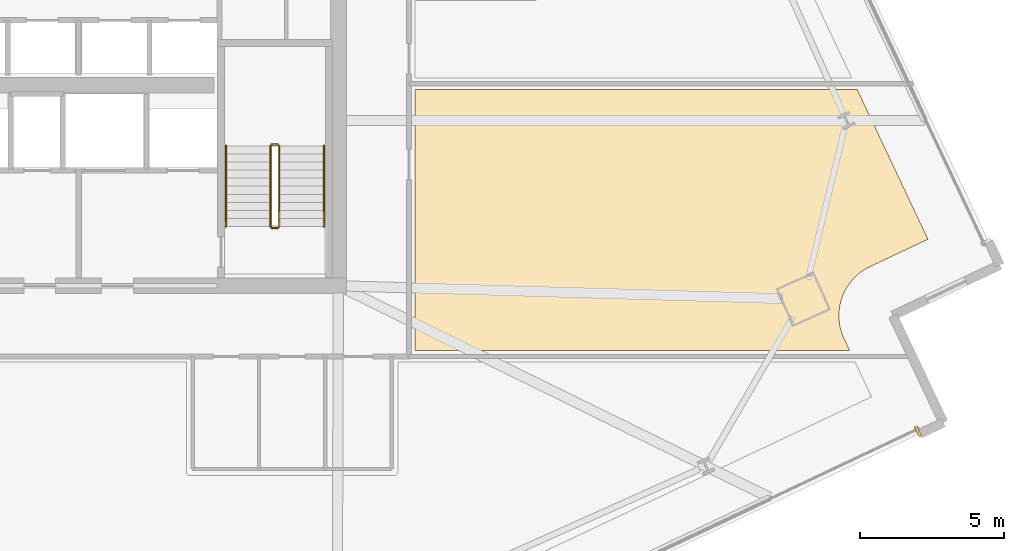
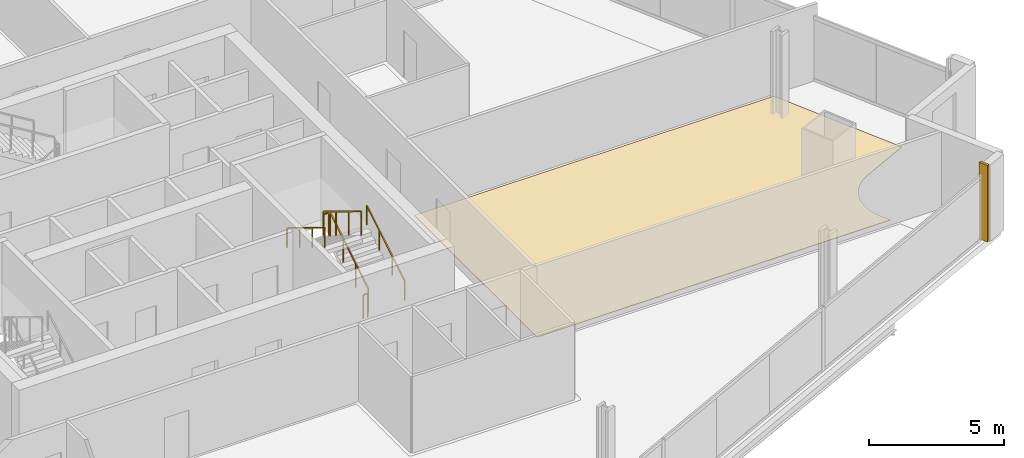
# One storey, part 31 of 34: 6 railings, 2 coverings.
"""IFC4 building model written with IfcOpenShell, lengths in metres."""

from ifc_helpers import new_model, si_unit, direction, frame, origin, origin_2d, place, context, subcontext, project, spatial, polyline, rectangle, outline, extrude, source, transform, mapped, material, layer, layer_set, type_object, element, save


model = new_model("IFC4")

# Units and contexts
model_context = context("Model", 3, precision=1e-05, world=origin(), true_north=direction((0.0, 1.0)))
body_context = subcontext(model_context, "Body", "Model", "MODEL_VIEW")
ifc_project = project(units=[si_unit("LENGTHUNIT", "METRE"), si_unit("AREAUNIT", "SQUARE_METRE"), si_unit("VOLUMEUNIT", "CUBIC_METRE"), si_unit("PLANEANGLEUNIT", "RADIAN"), si_unit("MASSUNIT", "GRAM", prefix="KILO")], contexts=[model_context])

# Site, building, storey
site_placement = place(None, origin())
site = spatial("IfcSite", under=ifc_project, at=site_placement, CompositionType="ELEMENT")
building_placement = place(site_placement, origin())
building = spatial("IfcBuilding", under=site, at=building_placement, Name="Haldenkirk Collegiate Tower", CompositionType="ELEMENT")
storey_placement = place(building_placement, frame((0.0, 0.0, 112.949951171875)))
storey = spatial("IfcBuildingStorey", under=building, at=storey_placement, Name="L27", CompositionType="ELEMENT", Elevation=112.949951171875)

# Covering
ifc_material_1 = material(Name="Polished collegiate terrazzo", Category="concrete")
ifc_layer_1 = layer(ifc_material_1, 0.02490234375)
ifc_layer_set_1 = layer_set([ifc_layer_1], Name="Polished collegiate terrazzo")
covering_type_1 = type_object("IfcCoveringType", Name="COV-FLOOR-TERRAZZO", PredefinedType="FLOORING", material=ifc_layer_set_1)
covering_1_placement = place(storey_placement, origin())
element("IfcCovering", 1, at=covering_1_placement, inside=storey, type_object=covering_type_1, Name="L27 academic room finish 12", PredefinedType="FLOORING", context=body_context, shape_type="SweptSolid", body=[
    extrude(outline(polyline([(63.41748046875, 18.65771484375), (63.412353515625, 18.6552734375), (63.2607421875, 18.57421875), (63.25048828125, 18.568115234375), (63.10791015625, 18.472900390625), (63.098388671875, 18.4658203125), (62.965576171875, 18.35693359375), (62.956787109375, 18.34912109375), (62.83544921875, 18.2275390625), (62.82763671875, 18.218994140625), (62.718505859375, 18.086181640625), (62.71142578125, 18.07666015625), (62.6162109375, 17.933837890625), (62.610107421875, 17.923828125), (62.529052734375, 17.772216796875), (62.524169921875, 17.76171875), (62.458251953125, 17.60302734375), (62.454345703125, 17.592041015625), (62.404296875, 17.427734375), (62.401611328125, 17.416259765625), (62.367919921875, 17.247802734375), (62.3662109375, 17.236083984375), (62.349365234375, 17.065185546875), (62.348876953125, 17.053466796875), (62.348876953125, 16.881591796875), (62.349365234375, 16.8701171875), (62.3662109375, 16.69921875), (62.367919921875, 16.6875), (62.4013671875, 16.518798828125), (62.404296875, 16.507568359375), (62.4541015625, 16.34326171875), (62.4580078125, 16.33203125), (62.523681640625, 16.17333984375), (62.526123046875, 16.16796875), (62.7236328125, 15.75), (47.64990234375, 15.75), (47.64990234375, 24.800048828125), (62.980712890625, 24.800048828125), (65.43359375, 19.61083984375), (63.41748046875, 18.65771484375)])), origin(), (0.0, 0.0, 1.0), 0.025146484375),
])

# Railings
ifc_material_2 = material(Name="Painted architectural tubular steel", Category="steel")
railing_type_1 = type_object("IfcRailingType", Name="RLG-STAIR-GUARD-1100", PredefinedType="BALUSTRADE", material=ifc_material_2)
railing_1_placement = place(storey_placement, frame((42.949951171875, 20.050048828125, 0.17041015625)))
element("IfcRailing", 2, at=railing_1_placement, inside=storey, type_object=railing_type_1, Name="L27 ST-2 stair guard 1", PredefinedType="BALUSTRADE", context=body_context, shape_type="SweptSolid", body=[
    extrude(rectangle(XDim=0.048095703125, YDim=0.048095703125, at=origin_2d()), frame((0.0, 0.0, 1.076171875), z_axis=(0.0, 0.854169791009, 0.51999420009), x_axis=(-1.0, 0.0, 0.0)), (0.0, 0.0, 1.0), 3.278076171875),
    extrude(rectangle(XDim=0.0419921875, YDim=0.0419921875, at=origin_2d()), origin(), (0.0, 0.0, 1.0), 1.052001953125),
    extrude(rectangle(XDim=0.0419921875, YDim=0.0419921875, at=origin_2d()), frame((0.0, 0.933349609375, 0.568115234375)), (0.0, 0.0, 1.0), 1.052001953125),
    extrude(rectangle(XDim=0.0419921875, YDim=0.0419921875, at=origin_2d()), frame((0.0, 1.86669921875, 1.136474609375)), (0.0, 0.0, 1.0), 1.052001953125),
    extrude(rectangle(XDim=0.0419921875, YDim=0.0419921875, at=origin_2d()), frame((0.0, 2.800048828125, 1.70458984375)), (0.0, 0.0, 1.0), 1.052001953125),
])
railing_2_placement = place(storey_placement, frame((42.89990234375, 22.89990234375, 1.875)))
element("IfcRailing", 3, at=railing_2_placement, inside=storey, type_object=railing_type_1, Name="L27 ST-2 stair guard 2", PredefinedType="BALUSTRADE", context=body_context, shape_type="SweptSolid", body=[
    extrude(rectangle(XDim=0.048095703125, YDim=0.048095703125, at=origin_2d()), frame((0.0, 0.0, 1.076171875), z_axis=(-1.0, 0.0, 0.0), x_axis=(0.0, -1.0, 0.0)), (0.0, 0.0, 1.0), 0.199951171875),
    extrude(rectangle(XDim=0.0419921875, YDim=0.0419921875, at=origin_2d()), origin(), (0.0, 0.0, 1.0), 1.052001953125),
    extrude(rectangle(XDim=0.0419921875, YDim=0.0419921875, at=origin_2d()), frame((-0.199951171875, 0.0, 0.0)), (0.0, 0.0, 1.0), 1.052001953125),
])
railing_3_placement = place(storey_placement, frame((42.64990234375, 22.85009765625, 2.04541015625)))
element("IfcRailing", 4, at=railing_3_placement, inside=storey, type_object=railing_type_1, Name="L27 ST-2 stair guard 3", PredefinedType="BALUSTRADE", context=body_context, shape_type="SweptSolid", body=[
    extrude(rectangle(XDim=0.048095703125, YDim=0.048095703125, at=origin_2d()), frame((0.0, 0.0, 1.076171875), z_axis=(0.0, -0.854169791009, 0.51999420009), x_axis=(1.0, 0.0, 0.0)), (0.0, 0.0, 1.0), 3.278076171875),
    extrude(rectangle(XDim=0.0419921875, YDim=0.0419921875, at=origin_2d()), origin(), (0.0, 0.0, 1.0), 1.052001953125),
    extrude(rectangle(XDim=0.0419921875, YDim=0.0419921875, at=origin_2d()), frame((0.0, -0.933349609375, 0.568115234375)), (0.0, 0.0, 1.0), 1.052001953125),
    extrude(rectangle(XDim=0.0419921875, YDim=0.0419921875, at=origin_2d()), frame((0.0, -1.86669921875, 1.136474609375)), (0.0, 0.0, 1.0), 1.052001953125),
    extrude(rectangle(XDim=0.0419921875, YDim=0.0419921875, at=origin_2d()), frame((0.0, -2.800048828125, 1.70458984375)), (0.0, 0.0, 1.0), 1.052001953125),
])
railing_4_placement = place(storey_placement, frame((42.89990234375, 20.0, 0.0)))
element("IfcRailing", 5, at=railing_4_placement, inside=storey, type_object=railing_type_1, Name="L27 ST-2 stair guard 4", PredefinedType="BALUSTRADE", context=body_context, shape_type="SweptSolid", body=[
    extrude(rectangle(XDim=0.048095703125, YDim=0.048095703125, at=origin_2d()), frame((0.0, 0.0, 1.076171875), z_axis=(-1.0, 0.0, 0.0), x_axis=(0.0, -1.0, 0.0)), (0.0, 0.0, 1.0), 0.199951171875),
    extrude(rectangle(XDim=0.0419921875, YDim=0.0419921875, at=origin_2d()), origin(), (0.0, 0.0, 1.0), 1.052001953125),
    extrude(rectangle(XDim=0.0419921875, YDim=0.0419921875, at=origin_2d()), frame((-0.199951171875, 0.0, 0.0)), (0.0, 0.0, 1.0), 1.052001953125),
])
railing_type_2 = type_object("IfcRailingType", Name="RLG-STAIR-HANDRAIL-900", PredefinedType="HANDRAIL", material=ifc_material_2)
railing_5_placement = place(storey_placement, frame((44.5, 20.050048828125, 0.17041015625)))
element("IfcRailing", 6, at=railing_5_placement, inside=storey, type_object=railing_type_2, Name="L27 ST-2 stair handrail 1", PredefinedType="HANDRAIL", context=body_context, shape_type="SweptSolid", body=[
    extrude(rectangle(XDim=0.048095703125, YDim=0.048095703125, at=origin_2d()), frame((0.0, 0.0, 0.8759765625), z_axis=(0.0, 0.854169791009, 0.51999420009), x_axis=(-1.0, 0.0, 0.0)), (0.0, 0.0, 1.0), 3.278076171875),
    extrude(rectangle(XDim=0.0419921875, YDim=0.0419921875, at=origin_2d()), origin(), (0.0, 0.0, 1.0), 0.851806640625),
    extrude(rectangle(XDim=0.0419921875, YDim=0.0419921875, at=origin_2d()), frame((0.0, 0.933349609375, 0.568115234375)), (0.0, 0.0, 1.0), 0.851806640625),
    extrude(rectangle(XDim=0.0419921875, YDim=0.0419921875, at=origin_2d()), frame((0.0, 1.86669921875, 1.136474609375)), (0.0, 0.0, 1.0), 0.851806640625),
    extrude(rectangle(XDim=0.0419921875, YDim=0.0419921875, at=origin_2d()), frame((0.0, 2.800048828125, 1.70458984375)), (0.0, 0.0, 1.0), 0.851806640625),
])
railing_6_placement = place(storey_placement, frame((41.10009765625, 22.85009765625, 2.04541015625)))
element("IfcRailing", 7, at=railing_6_placement, inside=storey, type_object=railing_type_2, Name="L27 ST-2 stair handrail 2", PredefinedType="HANDRAIL", context=body_context, shape_type="SweptSolid", body=[
    extrude(rectangle(XDim=0.048095703125, YDim=0.048095703125, at=origin_2d()), frame((0.0, 0.0, 0.8759765625), z_axis=(0.0, -0.854169791009, 0.51999420009), x_axis=(1.0, 0.0, 0.0)), (0.0, 0.0, 1.0), 3.278076171875),
    extrude(rectangle(XDim=0.0419921875, YDim=0.0419921875, at=origin_2d()), origin(), (0.0, 0.0, 1.0), 0.851806640625),
    extrude(rectangle(XDim=0.0419921875, YDim=0.0419921875, at=origin_2d()), frame((0.0, -0.933349609375, 0.568115234375)), (0.0, 0.0, 1.0), 0.851806640625),
    extrude(rectangle(XDim=0.0419921875, YDim=0.0419921875, at=origin_2d()), frame((0.0, -1.86669921875, 1.136474609375)), (0.0, 0.0, 1.0), 0.851806640625),
    extrude(rectangle(XDim=0.0419921875, YDim=0.0419921875, at=origin_2d()), frame((0.0, -2.800048828125, 1.70458984375)), (0.0, 0.0, 1.0), 0.851806640625),
])

# Covering
ifc_material_3 = material(Name="Anodised architectural bronze aluminium", Category="aluminium")
ifc_layer_2 = layer(ifc_material_3, 0.06005859375)
ifc_layer_set_2 = layer_set([ifc_layer_2], Name="Anodised architectural bronze aluminium")
covering_type_2 = type_object("IfcCoveringType", Name="COV-CLAD-BRONZE-60", PredefinedType="CLADDING", material=ifc_layer_set_2)
shared_shape = source(origin(), body_context, "Body", "SweptSolid", [
    extrude(rectangle(XDim=0.10009765625, YDim=0.3798828125, at=origin_2d()), origin(), (0.0, 0.0, 1.0), 3.449951171875),
])
covering_2_placement = place(storey_placement, frame((65.089599609375, 12.9443359375, 0.0), z_axis=(0.0, 0.0, 1.0), x_axis=(-0.904082549661, -0.427357863387, 0.0)))
element("IfcCovering", 8, at=covering_2_placement, inside=storey, type_object=covering_type_2, Name="L27 recessed curtain-wall bronze jamb closure SJL", PredefinedType="CLADDING", context=body_context, shape_type="MappedRepresentation", body=[
    mapped(shared_shape, transform((0.0, 0.0, 0.0), x_axis=(1.0, 0.0, 0.0), y_axis=(0.0, 1.0, 0.0), z_axis=(0.0, 0.0, 1.0), scale=1.0)),
])

save(model, "model.ifc")
